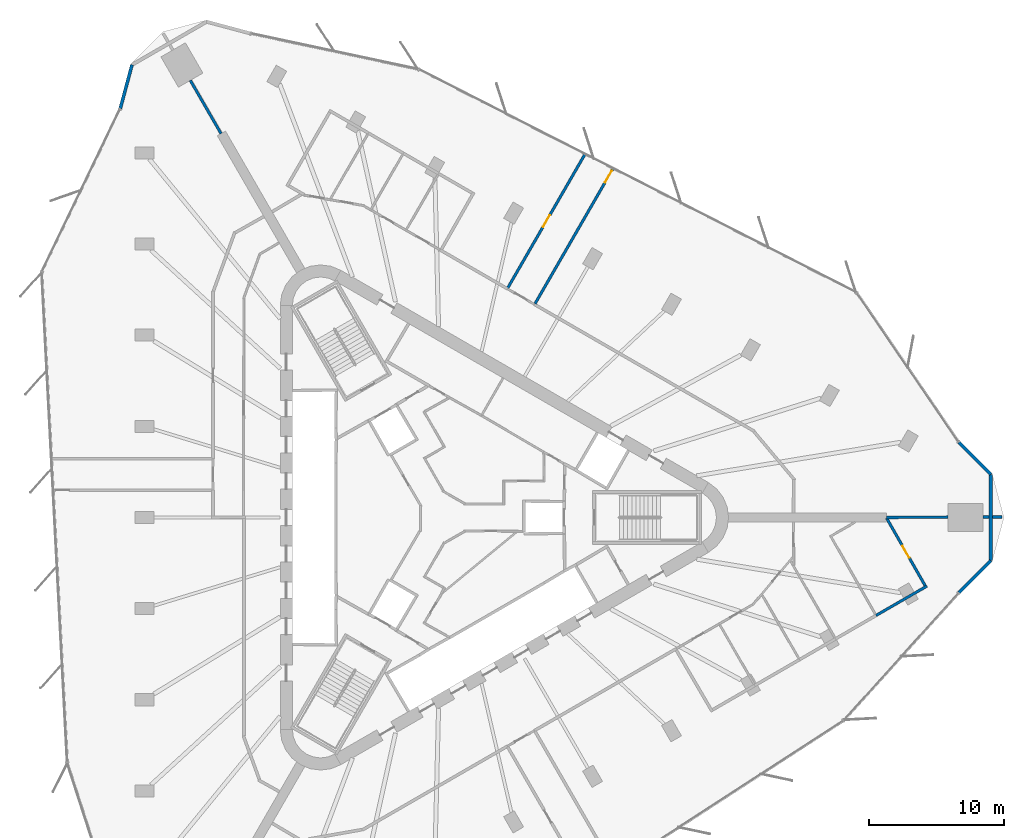
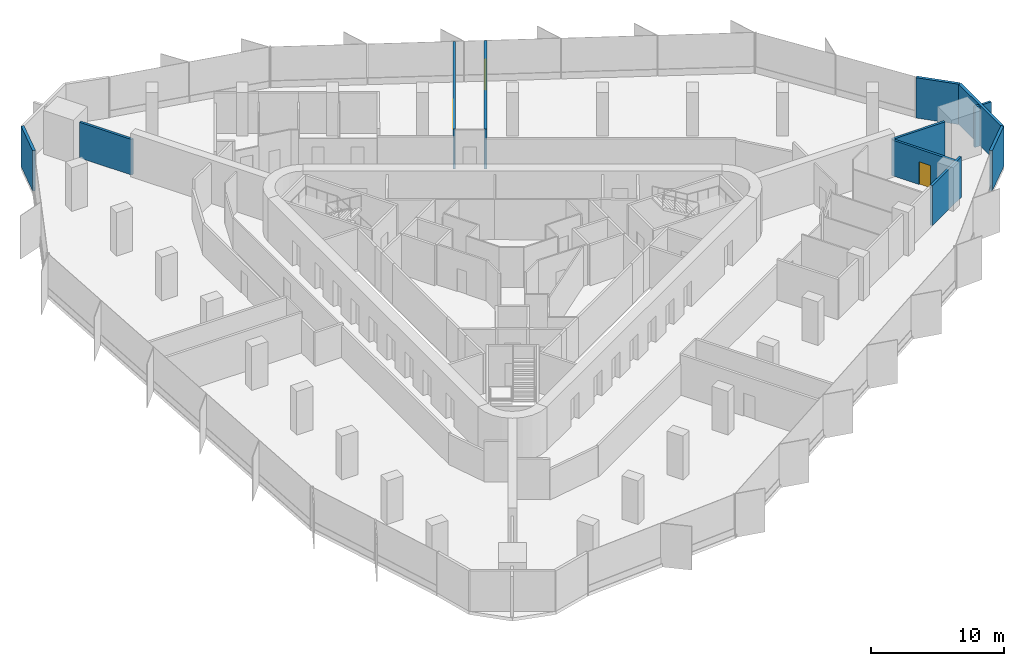
# One storey, part 12 of 14: 12 walls, 3 doors, 3 openings.
"""IFC4 building model written with IfcOpenShell, lengths in metres."""

from ifc_helpers import new_model, si_unit, direction, frame, frame_2d, origin, place, context, subcontext, project, spatial, rectangle, extrude, material, layer, layer_set, type_object, element, fill, save


model = new_model("IFC4")

# Units and contexts
model_context = context("Model", 3, precision=1e-05, world=origin(), true_north=direction((0.0, 1.0)))
body_context = subcontext(model_context, "Body", "Model", "MODEL_VIEW")
ifc_project = project(units=[si_unit("LENGTHUNIT", "METRE"), si_unit("AREAUNIT", "SQUARE_METRE"), si_unit("VOLUMEUNIT", "CUBIC_METRE"), si_unit("PLANEANGLEUNIT", "RADIAN"), si_unit("MASSUNIT", "GRAM", prefix="KILO")], contexts=[model_context])

# Site, building, storey
site_placement = place(None, origin())
site = spatial("IfcSite", under=ifc_project, at=site_placement, CompositionType="ELEMENT")
building_placement = place(site_placement, origin())
building = spatial("IfcBuilding", under=site, at=building_placement, Name="Tanit Gate Tower", CompositionType="ELEMENT")
storey_placement = place(building_placement, frame((0.0, 0.0, 213.199951171875)))
storey = spatial("IfcBuildingStorey", under=building, at=storey_placement, Name="L47", CompositionType="ELEMENT", Elevation=213.199951171875)

# Walls
ifc_material_1 = material(Name="Concrete C30/37 with bronze anodised aluminium cladding", Category="concrete")
ifc_layer_1 = layer(ifc_material_1, 0.239990234375)
ifc_layer_set_1 = layer_set([ifc_layer_1], Name="Facade wall bronze clad 240")
wall_type_1 = type_object("IfcWallType", Name="Facade wall bronze clad 240", PredefinedType="SOLIDWALL", material=ifc_layer_set_1)
wall_1_placement = place(storey_placement, frame((-23.114013671875, 33.626220703125, 0.0), z_axis=(0.0, 0.0, 1.0), x_axis=(-0.258824439285, -0.965924380906, 0.0)))
element("IfcWall", 1, at=wall_1_placement, inside=storey, type_object=wall_type_1, Name="Bronze-clad facade wall L47 NW.arc3", PredefinedType="SOLIDWALL", context=body_context, shape_type="SweptSolid", body=[
    extrude(rectangle(XDim=3.36083984375, YDim=0.239990234375, at=frame_2d((1.680419921875, 0.0))), origin(), (0.0, 0.0, 1.0), 3.699951171875),
])
wall_2_placement = place(storey_placement, frame((38.3076171875, -5.574951171875, 0.0), z_axis=(0.0, 0.0, 1.0), x_axis=(0.707106781187, 0.707106781187, 0.0)))
element("IfcWall", 2, at=wall_2_placement, inside=storey, type_object=wall_type_1, Name="Bronze-clad facade wall L47 E.arc1", PredefinedType="SOLIDWALL", context=body_context, shape_type="SweptSolid", body=[
    extrude(rectangle(XDim=3.3525390625, YDim=0.239990234375, at=frame_2d((1.67626953125, 0.0))), origin(), (0.0, 0.0, 1.0), 3.699951171875),
])
wall_3_placement = place(storey_placement, frame((40.67822265625, -3.204345703125, 0.0), z_axis=(0.0, 0.0, 1.0), x_axis=(0.0, 1.0, 0.0)))
element("IfcWall", 3, at=wall_3_placement, inside=storey, type_object=wall_type_1, Name="Bronze-clad facade wall L47 E.arc2", PredefinedType="SOLIDWALL", context=body_context, shape_type="SweptSolid", body=[
    extrude(rectangle(XDim=6.40869140625, YDim=0.239990234375, at=frame_2d((3.204345703125, 0.0))), origin(), (0.0, 0.0, 1.0), 3.699951171875),
])
wall_4_placement = place(storey_placement, frame((40.67822265625, 3.204345703125, 0.0), z_axis=(0.0, 0.0, 1.0), x_axis=(-0.707106781187, 0.707106781187, 0.0)))
element("IfcWall", 4, at=wall_4_placement, inside=storey, type_object=wall_type_1, Name="Bronze-clad facade wall L47 E.arc3", PredefinedType="SOLIDWALL", context=body_context, shape_type="SweptSolid", body=[
    extrude(rectangle(XDim=3.36083984375, YDim=0.239990234375, at=frame_2d((1.680419921875, 0.0))), origin(), (0.0, 0.0, 1.0), 3.699951171875),
])
ifc_material_2 = material(Name="Fire-rated gypsum board partition")
ifc_layer_2 = layer(ifc_material_2, 0.199951171875)
ifc_layer_set_2 = layer_set([ifc_layer_2], Name="INT-WALL-COMPARTMENT")
wall_type_2 = type_object("IfcWallType", Name="INT-WALL-COMPARTMENT", PredefinedType="PARTITIONING", material=ifc_layer_set_2)
wall_5_placement = place(storey_placement, frame((-16.498046875, 28.515380859375, 0.0), z_axis=(0.0, 0.0, 1.0), x_axis=(-0.499997018584, 0.866027125099, 0.0)))
element("IfcWall", 5, at=wall_5_placement, inside=storey, type_object=wall_type_2, Name="Wall Compartment W124", PredefinedType="PARTITIONING", context=body_context, shape_type="SweptSolid", body=[
    extrude(rectangle(XDim=4.56689453125, YDim=0.199951171875, at=frame_2d((2.283447265625, 0.0))), origin(), (0.0, 0.0, 1.0), 3.27001953125),
])

# Wall, opening, door
wall_6_placement = place(storey_placement, frame((6.822021484375, 15.8759765625, 0.0), z_axis=(0.0, 0.0, 1.0), x_axis=(0.499996172356, 0.866027613664, 0.0)))
wall_6 = element("IfcWall", 6, at=wall_6_placement, inside=storey, type_object=wall_type_2, Name="Wall Compartment W125", PredefinedType="PARTITIONING", context=body_context, shape_type="SweptSolid", body=[
    extrude(rectangle(XDim=11.60693359375, YDim=0.199951171875, at=frame_2d((5.803466796875, 0.0))), origin(), (0.0, 0.0, 1.0), 3.699951171875),
])
opening_1_placement = place(wall_6_placement, frame((10.406982421875, 0.0, 0.0)))
opening_1 = element("IfcOpeningElement", 7, at=opening_1_placement, cuts=wall_6, Name="Opening F10-S12-32", PredefinedType="OPENING", context=body_context, shape_type="SweptSolid", body=[
    extrude(rectangle(XDim=1.0, YDim=2.10009765625, at=frame_2d((0.5, 1.050048828125))), frame((0.0, 0.10986328125, 0.0), z_axis=(0.0, -1.0, 0.0), x_axis=(1.0, 0.0, 0.0)), (0.0, 0.0, 1.0), 0.219970703125),
])
ifc_material_3 = material(Name="Fire-rated steel door leaf", Category="steel")
door_type = type_object("IfcDoorType", Name="INT-DOOR-FIRE-1000", OperationType="NOTDEFINED", PredefinedType="USERDEFINED", material=ifc_material_3)
door_1_placement = place(opening_1_placement, origin())
door_1 = element("IfcDoor", 8, at=door_1_placement, inside=storey, type_object=door_type, Name="Door F10-S12-32", ObjectType="FIRE DOOR", OperationType="SINGLE_SWING_RIGHT", OverallHeight=2.10009765625, OverallWidth=1.0, PredefinedType="USERDEFINED", context=body_context, shape_type="SweptSolid", body=[
    extrude(rectangle(XDim=1.0, YDim=2.10009765625, at=frame_2d((0.5, 1.050048828125))), frame((0.0, 0.02490234375, 0.0), z_axis=(0.0, -1.0, 0.0), x_axis=(1.0, 0.0, 0.0)), (0.0, 0.0, 1.0), 0.050048828125),
])
fill(opening_1, door_1)

wall_7_placement = place(storey_placement, frame((10.5380859375, 26.992431640625, 0.0), z_axis=(0.0, 0.0, 1.0), x_axis=(-0.500002753014, -0.866023814325, 0.0)))
wall_7 = element("IfcWall", 9, at=wall_7_placement, inside=storey, type_object=wall_type_2, Name="Wall Compartment W126", PredefinedType="PARTITIONING", context=body_context, shape_type="SweptSolid", body=[
    extrude(rectangle(XDim=11.4853515625, YDim=0.199951171875, at=frame_2d((5.74267578125, 0.0))), origin(), (0.0, 0.0, 1.0), 3.699951171875),
])
opening_2_placement = place(wall_7_placement, frame((5.24267578125, 0.0, 0.0)))
opening_2 = element("IfcOpeningElement", 10, at=opening_2_placement, cuts=wall_7, Name="Opening F10-S12-33", PredefinedType="OPENING", context=body_context, shape_type="SweptSolid", body=[
    extrude(rectangle(XDim=1.0, YDim=2.10009765625, at=frame_2d((0.5, 1.050048828125))), frame((0.0, 0.10986328125, 0.0), z_axis=(0.0, -1.0, 0.0), x_axis=(1.0, 0.0, 0.0)), (0.0, 0.0, 1.0), 0.219970703125),
])
door_2_placement = place(opening_2_placement, origin())
door_2 = element("IfcDoor", 11, at=door_2_placement, inside=storey, type_object=door_type, Name="Door F10-S12-33", ObjectType="FIRE DOOR", OperationType="SINGLE_SWING_LEFT", OverallHeight=2.10009765625, OverallWidth=1.0, PredefinedType="USERDEFINED", context=body_context, shape_type="SweptSolid", body=[
    extrude(rectangle(XDim=1.0, YDim=2.10009765625, at=frame_2d((0.5, 1.050048828125))), frame((0.0, 0.02490234375, 0.0), z_axis=(0.0, -1.0, 0.0), x_axis=(1.0, 0.0, 0.0)), (0.0, 0.0, 1.0), 0.050048828125),
])
fill(opening_2, door_2)

# Walls
wall_8_placement = place(storey_placement, frame((32.94384765625, 0.00048828125, 0.0), z_axis=(0.0, 0.0, 1.0), x_axis=(0.999979082064, 0.006468031696, 0.0)))
element("IfcWall", 12, at=wall_8_placement, inside=storey, type_object=wall_type_2, Name="Wall Compartment W127", PredefinedType="PARTITIONING", context=body_context, shape_type="SweptSolid", body=[
    extrude(rectangle(XDim=4.567138671875, YDim=0.199951171875, at=frame_2d((2.28369140625, 0.0))), origin(), (0.0, 0.0, 1.0), 3.27001953125),
])
wall_9_placement = place(storey_placement, frame((40.111083984375, 0.030029296875, 0.0), z_axis=(0.0, 0.0, 1.0), x_axis=(1.0, 0.0, 0.0)))
element("IfcWall", 13, at=wall_9_placement, inside=storey, type_object=wall_type_2, Name="Wall Compartment W128", PredefinedType="PARTITIONING", context=body_context, shape_type="SweptSolid", body=[
    extrude(rectangle(XDim=0.447021484375, YDim=0.199951171875, at=frame_2d((0.2236328125, 0.0))), origin(), (0.0, 0.0, 1.0), 3.699951171875),
])
wall_10_placement = place(storey_placement, frame((40.798095703125, 0.030029296875, 0.0), z_axis=(0.0, 0.0, 1.0), x_axis=(1.0, 0.0, 0.0)))
element("IfcWall", 14, at=wall_10_placement, inside=storey, type_object=wall_type_2, Name="Wall Compartment W128x1", PredefinedType="PARTITIONING", context=body_context, shape_type="SweptSolid", body=[
    extrude(rectangle(XDim=0.730712890625, YDim=0.199951171875, at=frame_2d((0.365234375, 0.0))), origin(), (0.0, 0.0, 1.0), 3.699951171875),
])
wall_11_placement = place(storey_placement, frame((35.936767578125, -5.09423828125, 0.0), z_axis=(0.0, 0.0, 1.0), x_axis=(-0.866036659782, -0.499980503534, 0.0)))
element("IfcWall", 15, at=wall_11_placement, inside=storey, type_object=wall_type_2, Name="Wall Compartment W143", PredefinedType="PARTITIONING", context=body_context, shape_type="SweptSolid", body=[
    extrude(rectangle(XDim=4.367919921875, YDim=0.199951171875, at=frame_2d((2.18408203125, 0.0))), origin(), (0.0, 0.0, 1.0), 3.699951171875),
])

# Wall, opening, door
wall_12_placement = place(storey_placement, frame((35.800537109375, -5.057373046875, 0.0), z_axis=(0.0, 0.0, 1.0), x_axis=(-0.495623394513, 0.868537535637, 0.0)))
wall_12 = element("IfcWall", 16, at=wall_12_placement, inside=storey, type_object=wall_type_2, Name="Wall Compartment W144", PredefinedType="PARTITIONING", context=body_context, shape_type="SweptSolid", body=[
    extrude(rectangle(XDim=5.763916015625, YDim=0.199951171875, at=frame_2d((2.8818359375, 0.0))), origin(), (0.0, 0.0, 1.0), 3.27001953125),
])
opening_3_placement = place(wall_12_placement, frame((2.3818359375, 0.0, 0.0)))
opening_3 = element("IfcOpeningElement", 17, at=opening_3_placement, cuts=wall_12, Name="Opening F10-S12-29", PredefinedType="OPENING", context=body_context, shape_type="SweptSolid", body=[
    extrude(rectangle(XDim=1.0, YDim=2.10009765625, at=frame_2d((0.5, 1.050048828125))), frame((0.0, 0.10986328125, 0.0), z_axis=(0.0, -1.0, 0.0), x_axis=(1.0, 0.0, 0.0)), (0.0, 0.0, 1.0), 0.219970703125),
])
door_3_placement = place(opening_3_placement, origin())
door_3 = element("IfcDoor", 18, at=door_3_placement, inside=storey, type_object=door_type, Name="Door F10-S12-29", ObjectType="FIRE DOOR", OperationType="SINGLE_SWING_RIGHT", OverallHeight=2.10009765625, OverallWidth=1.0, PredefinedType="USERDEFINED", context=body_context, shape_type="SweptSolid", body=[
    extrude(rectangle(XDim=1.0, YDim=2.10009765625, at=frame_2d((0.5, 1.050048828125))), frame((0.0, 0.02490234375, 0.0), z_axis=(0.0, -1.0, 0.0), x_axis=(1.0, 0.0, 0.0)), (0.0, 0.0, 1.0), 0.050048828125),
])
fill(opening_3, door_3)

save(model, "model.ifc")
